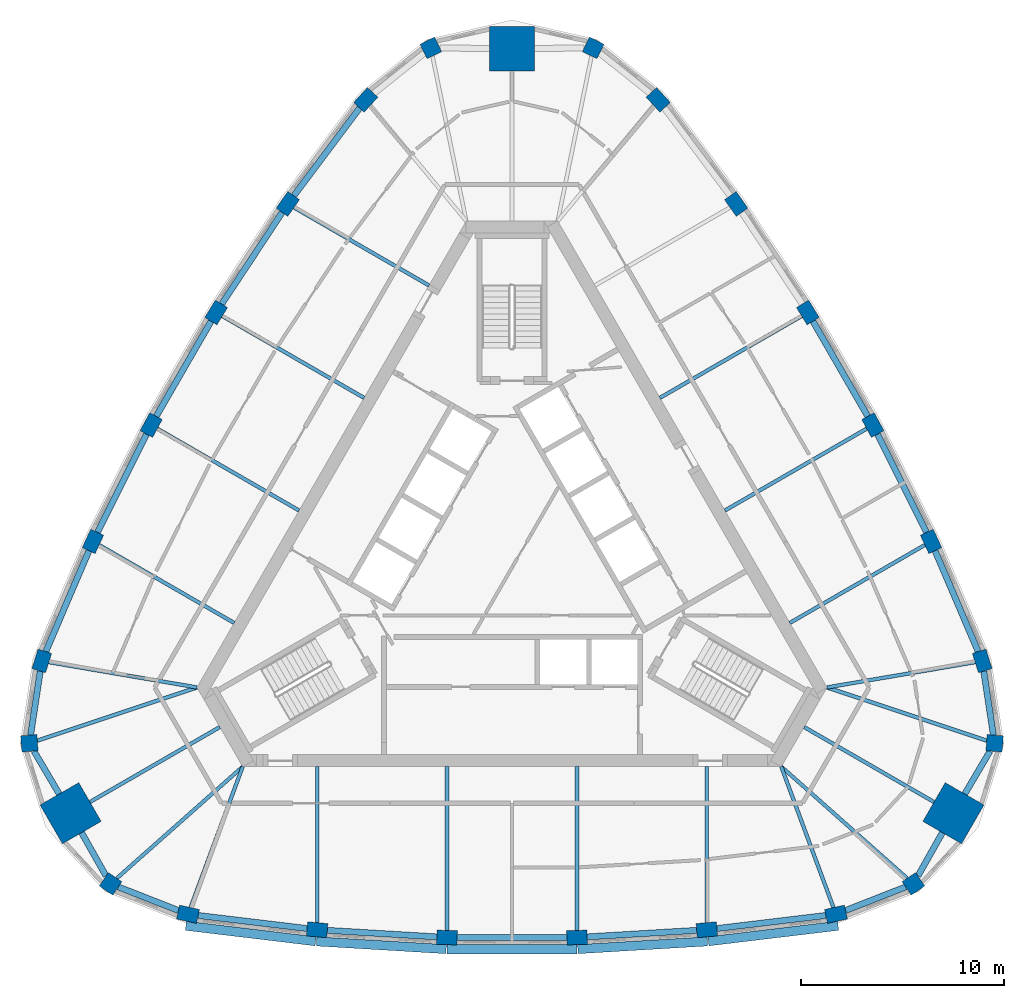
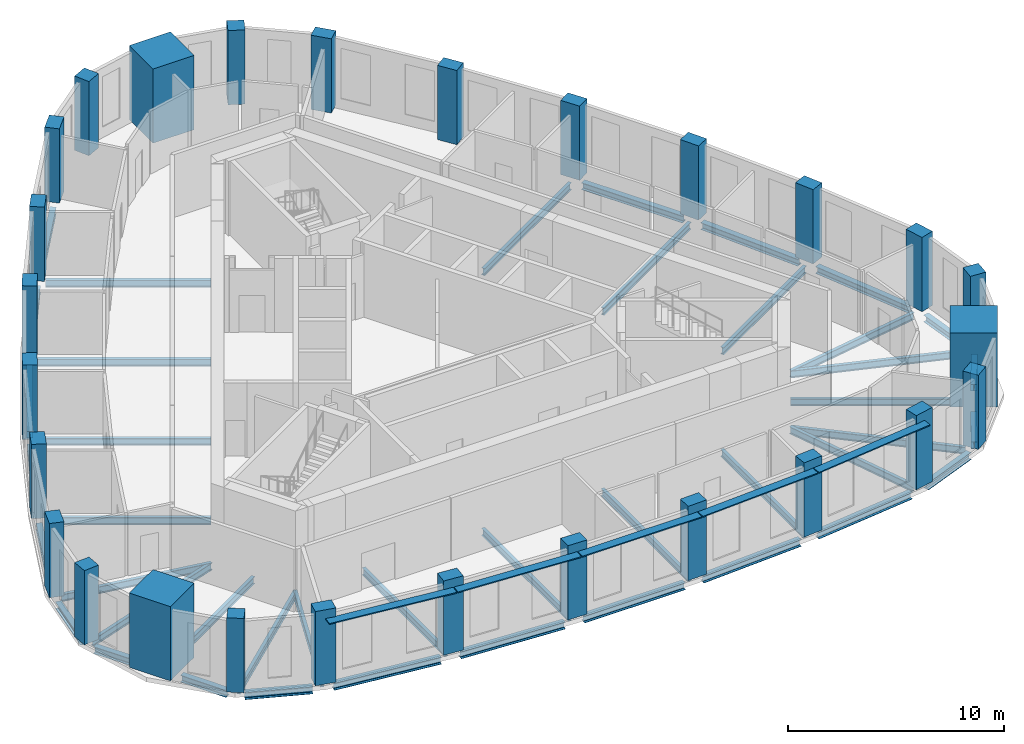
# One storey, part 1 of 10: 42 beams, 27 columns, 5 members.
"""IFC4 building model written with IfcOpenShell, lengths in metres."""

import ifcopenshell
import ifcopenshell.guid

model = None  # the IFC model being written
_history = None  # IfcOwnerHistory: only IFC2X3 demands one
_inside = {}  # id of a spatial element -> (the spatial element, [elements in it])
_under = {}  # id of a project, library or spatial element -> (it, [spatial elements below it])
_declared = {}  # id of a project -> (the project, [libraries it declares])
_typed = {}  # id of a type object -> (the type object, [elements of that type])
_made_of = {}  # id of a material, layer set ... -> (it, [elements and type objects made of it])


def new_model(schema):
    """Start an empty IFC model of exactly this schema.

    Asked for "IFC4X3", IfcOpenShell would pick the latest addendum, in which some entities
    have other attributes; the version numbers below select the first issue.
    IFC2X3 requires an IfcOwnerHistory on every rooted entity: one is made here for all.
    """
    global model, _history
    if schema == "IFC4X3":
        model = ifcopenshell.file(schema_version=(4, 3, 0, 0))
    else:
        model = ifcopenshell.file(schema=schema)
    _inside.clear()
    _under.clear()
    _declared.clear()
    _typed.clear()
    _made_of.clear()
    _history = None
    if model.schema == "IFC2X3":
        org = make("IfcOrganization", Name="unknown")
        user = make(
            "IfcPersonAndOrganization",
            ThePerson=make("IfcPerson", FamilyName="unknown"),
            TheOrganization=org,
        )
        app = make(
            "IfcApplication",
            ApplicationDeveloper=org,
            Version="unknown",
            ApplicationFullName="unknown",
            ApplicationIdentifier="unknown",
        )
        _history = make(
            "IfcOwnerHistory",
            OwningUser=user,
            OwningApplication=app,
            ChangeAction="ADDED",
            CreationDate=0,
        )
    return model


def make(cls, **values):
    """One entity of the class cls with the attributes given. An attribute that is None is left unset."""
    return model.create_entity(
        cls, **{name: value for name, value in values.items() if value is not None}
    )


def rooted(cls, **values):
    """An entity with a GlobalId (a new one), such as an element, a storey or a relation."""
    return make(cls, GlobalId=ifcopenshell.guid.new(), OwnerHistory=_history, **values)


def si_unit(unit_type, name, prefix=None):
    """IfcSIUnit, for example si_unit("LENGTHUNIT", "METRE", prefix="MILLI")."""
    return make("IfcSIUnit", UnitType=unit_type, Prefix=prefix, Name=name)


def assignment(units):
    """IfcUnitAssignment: the units of a project."""
    return None if units is None else make("IfcUnitAssignment", Units=units)


def point(xyz):
    """IfcCartesianPoint."""
    return None if xyz is None else make("IfcCartesianPoint", Coordinates=xyz)


def direction(xyz):
    """IfcDirection."""
    return None if xyz is None else make("IfcDirection", DirectionRatios=xyz)


def frame(location, z_axis=None, x_axis=None):
    """IfcAxis2Placement3D, a coordinate frame: its origin and axes. An axis left out is left unset."""
    return make(
        "IfcAxis2Placement3D",
        Location=point(location),
        Axis=direction(z_axis),
        RefDirection=direction(x_axis),
    )


def frame_2d(location, x_axis=None):
    """IfcAxis2Placement2D, a coordinate frame in the plane: its origin and x axis."""
    return make(
        "IfcAxis2Placement2D", Location=point(location), RefDirection=direction(x_axis)
    )


def origin():
    """The frame at (0, 0, 0) with its axes left unset."""
    return frame((0.0, 0.0, 0.0))


def origin_2d():
    """The frame at (0, 0) in the plane with its x axis left unset."""
    return frame_2d((0.0, 0.0))


def place(relative_to, where):
    """IfcLocalPlacement: puts the frame where relative to a parent placement (None: the world)."""
    return make(
        "IfcLocalPlacement", PlacementRelTo=relative_to, RelativePlacement=where
    )


def context(
    kind, dimensions, precision=None, world=None, true_north=None, identifier=None
):
    """IfcGeometricRepresentationContext, for example the 3D "Model" context."""
    return make(
        "IfcGeometricRepresentationContext",
        ContextIdentifier=identifier,
        ContextType=kind,
        CoordinateSpaceDimension=dimensions,
        Precision=precision,
        WorldCoordinateSystem=world,
        TrueNorth=true_north,
    )


def subcontext(parent, identifier, kind, view, scale=None):
    """IfcGeometricRepresentationSubContext, for example "Body" below "Model"."""
    return make(
        "IfcGeometricRepresentationSubContext",
        ContextIdentifier=identifier,
        ContextType=kind,
        ParentContext=parent,
        TargetScale=scale,
        TargetView=view,
    )


def project(units=None, contexts=None):
    """IfcProject with its units and contexts."""
    return rooted(
        "IfcProject",
        Name="project",
        RepresentationContexts=contexts,
        UnitsInContext=assignment(units),
    )


def spatial(cls, under=None, at=None, **own):
    """A site, building, storey or space (cls), placed at a placement, below another one or the project."""
    s = rooted(cls, ObjectPlacement=at, **own)
    if under is not None:
        _under.setdefault(under.id(), (under, []))[1].append(s)
    return s


def profile(cls, at=None, kind="AREA", **sizes):
    """A parametric profile (cls). Its sizes go by their IFC names, for example OverallWidth=200.0."""
    return make(cls, ProfileType=kind, Position=at, **sizes)


def rectangle(**sizes):
    """IfcRectangleProfileDef."""
    return profile("IfcRectangleProfileDef", **sizes)


def i_section(**sizes):
    """IfcIShapeProfileDef."""
    return profile("IfcIShapeProfileDef", **sizes)


def extrude(swept, where, along, depth):
    """IfcExtrudedAreaSolid: the profile swept, set in the frame where, extruded along a direction by depth."""
    return make(
        "IfcExtrudedAreaSolid",
        SweptArea=swept,
        Position=where,
        ExtrudedDirection=direction(along),
        Depth=depth,
    )


def shape(context_of_items, identifier, shape_type, items):
    """IfcShapeRepresentation: the items that make up one representation, for example the "Body"."""
    return make(
        "IfcShapeRepresentation",
        ContextOfItems=context_of_items,
        RepresentationIdentifier=identifier,
        RepresentationType=shape_type,
        Items=items,
    )


def material(Name=None, Category=None):
    """IfcMaterial."""
    return make("IfcMaterial", Name=Name, Category=Category)


def material_profile(
    of_material, cross_section, Name=None, Category=None, Priority=None
):
    """IfcMaterialProfile: a cross section and its material."""
    return make(
        "IfcMaterialProfile",
        Name=Name,
        Material=of_material,
        Profile=cross_section,
        Priority=Priority,
        Category=Category,
    )


def profile_set(profiles, Name=None, composite=None):
    """IfcMaterialProfileSet."""
    return make(
        "IfcMaterialProfileSet",
        Name=Name,
        MaterialProfiles=profiles,
        CompositeProfile=composite,
    )


def made_of(thing, what):
    """Note that an element or type object is made of a material, layer set ...; save() writes the relation."""
    if what is not None:
        _made_of.setdefault(what.id(), (what, []))[1].append(thing)
    return thing


def type_object(cls, material=None, **own):
    """A type object (cls), such as IfcWallType, which elements share."""
    return made_of(rooted(cls, **own), material)


def element(
    cls,
    number,
    at=None,
    inside=None,
    cuts=None,
    type_object=None,
    material=None,
    context=None,
    identifier="Body",
    shape_type=None,
    held_by="IfcProductDefinitionShape",
    body=None,
    shapes=None,
    **own,
):
    """One element of the class cls, such as IfcWall. Its Tag is "e" and its number.

    at: its placement. inside: the storey or other place that contains it. cuts: it is an
    opening in that element (IfcRelVoidsElement). A single representation is given by context,
    identifier, shape_type and body (its items); several are given by shapes. held_by: the class
    of the entity that holds the representations. save() writes the other relations.
    """
    e = rooted(cls, Tag="e%d" % number, ObjectPlacement=at, **own)
    if body is not None:
        shapes = [shape(context, identifier, shape_type, body)]
    if shapes is not None:
        e.Representation = make(held_by, Representations=shapes)
    if inside is not None:
        _inside.setdefault(inside.id(), (inside, []))[1].append(e)
    if cuts is not None:
        rooted(
            "IfcRelVoidsElement", RelatingBuildingElement=cuts, RelatedOpeningElement=e
        )
    if type_object is not None:
        _typed.setdefault(type_object.id(), (type_object, []))[1].append(e)
    return made_of(e, material)


def aggregate(whole, parts):
    """IfcRelAggregates: a whole, such as a stair, and the parts it consists of."""
    return rooted("IfcRelAggregates", RelatingObject=whole, RelatedObjects=parts)


def save(model, path):
    """Write the relations noted so far, then the file.

    IfcRelAggregates (storeys below a building ...), IfcRelContainedInSpatialStructure (elements
    in a storey), IfcRelDefinesByType, IfcRelAssociatesMaterial and IfcRelDeclares: one each for
    every whole, place, type object, material and project.
    """
    for whole, parts in _under.values():
        aggregate(whole, parts)
    for where, things in _inside.values():
        rooted(
            "IfcRelContainedInSpatialStructure",
            RelatedElements=things,
            RelatingStructure=where,
        )
    for kind, things in _typed.values():
        rooted("IfcRelDefinesByType", RelatedObjects=things, RelatingType=kind)
    for what, things in _made_of.values():
        rooted("IfcRelAssociatesMaterial", RelatedObjects=things, RelatingMaterial=what)
    for by, libraries in _declared.values():
        rooted("IfcRelDeclares", RelatingContext=by, RelatedDefinitions=libraries)
    model.write(path)


model = new_model("IFC4")

# Units and contexts
model_context = context("Model", 3, precision=1e-05, world=origin(), true_north=direction((0.0, 1.0)))
body_context = subcontext(model_context, "Body", "Model", "MODEL_VIEW")
ifc_project = project(units=[si_unit("LENGTHUNIT", "METRE"), si_unit("AREAUNIT", "SQUARE_METRE"), si_unit("VOLUMEUNIT", "CUBIC_METRE"), si_unit("PLANEANGLEUNIT", "RADIAN"), si_unit("MASSUNIT", "GRAM", prefix="KILO")], contexts=[model_context])

# Site, building, storey
site_placement = place(None, origin())
site = spatial("IfcSite", under=ifc_project, at=site_placement, CompositionType="ELEMENT")
building_placement = place(site_placement, origin())
building = spatial("IfcBuilding", under=site, at=building_placement, Name="Mestral Congress Tower", CompositionType="ELEMENT")
storey_placement = place(building_placement, frame((0.0, 0.0, 292.199951171875)))
storey = spatial("IfcBuildingStorey", under=building, at=storey_placement, Name="L68", CompositionType="ELEMENT", Elevation=292.199951171875)

# Columns
ifc_material_1 = material(Name="Concrete C60/75", Category="concrete")
ifc_material_profile_1 = material_profile(ifc_material_1, rectangle(XDim=1.0, YDim=0.699951171875, at=origin_2d()), Name="RC 1000x700")
ifc_profile_set_1 = profile_set([ifc_material_profile_1], Name="Concrete C60/75")
column_type_1 = type_object("IfcColumnType", Name="Column RC 1000x700 C60/75", PredefinedType="COLUMN", material=ifc_profile_set_1)
for number, where, z_axis, x_axis, name in (
    (1, (-15.940673828125, -17.511962890625, 0.0), (0.0, 0.0, 1.0), (0.976233636503, -0.216720758026, 0.0), "COL-L68-C5-S00"),
    (2, (-9.587158203125, -18.273681640625, 0.0), (0.0, 0.0, 1.0), (0.995997816519, -0.089377567035, 0.0), "COL-L68-C5-S01"),
    (3, (-3.199462890625, -18.6552734375, 0.0), (0.0, 0.0, 1.0), (0.999555031657, -0.029828487872, 0.0), "COL-L68-C5-S02"),
    (4, (3.199462890625, -18.6552734375, 0.0), (0.0, 0.0, 1.0), (0.999555031657, 0.029828487872, 0.0), "COL-L68-C5-S03"),
    (5, (9.587158203125, -18.273681640625, 0.0), (0.0, 0.0, 1.0), (0.995997816519, 0.089377567035, 0.0), "COL-L68-C5-S04"),
    (6, (15.940673828125, -17.511962890625, 0.0), (0.0, 0.0, 1.0), (0.976233636503, 0.216720758026, 0.0), "COL-L68-C5-S05"),
    (7, (23.135986328125, -5.049072265625, 0.0), (0.0, 0.0, 1.0), (-0.300431136274, 0.953803508254, 0.0), "COL-L68-C5-E00"),
    (8, (20.618896484375, 0.833984375, 0.0), (0.0, 0.0, 1.0), (-0.420595664679, 0.907248194737, 0.0), "COL-L68-C5-E01"),
    (9, (17.755615234375, 6.556640625, 0.0), (0.0, 0.0, 1.0), (-0.473945287575, 0.880554293832, 0.0), "COL-L68-C5-E02"),
    (10, (14.55615234375, 12.098388671875, 0.0), (0.0, 0.0, 1.0), (-0.525609744083, 0.850725805959, 0.0), "COL-L68-C5-E03"),
    (11, (11.031982421875, 17.439697265625, 0.0), (0.0, 0.0, 1.0), (-0.57540215184, 0.817870627702, 0.0), "COL-L68-C5-E04"),
    (12, (7.1953125, 22.56103515625, 0.0), (0.0, 0.0, 1.0), (-0.67580250023, 0.737082750228, 0.0), "COL-L68-C5-E05"),
    (13, (-7.1953125, 22.56103515625, 0.0), (0.0, 0.0, 1.0), (-0.67580250023, -0.737082750228, 0.0), "COL-L68-C5-W00"),
    (14, (-11.031982421875, 17.439697265625, 0.0), (0.0, 0.0, 1.0), (-0.57540215184, -0.817870627702, 0.0), "COL-L68-C5-W01"),
    (15, (-14.55615234375, 12.098388671875, 0.0), (0.0, 0.0, 1.0), (-0.525609744083, -0.850725805959, 0.0), "COL-L68-C5-W02"),
    (16, (-17.755615234375, 6.556640625, 0.0), (0.0, 0.0, 1.0), (-0.473945287575, -0.880554293832, 0.0), "COL-L68-C5-W03"),
    (17, (-20.618896484375, 0.833984375, 0.0), (0.0, 0.0, 1.0), (-0.420595664679, -0.907248194737, 0.0), "COL-L68-C5-W04"),
    (18, (-23.135986328125, -5.049072265625, 0.0), (0.0, 0.0, 1.0), (-0.300431136274, -0.953803508254, 0.0), "COL-L68-C5-W05"),
):
    element("IfcColumn", number, at=place(storey_placement, frame(where, z_axis=z_axis, x_axis=x_axis)), inside=storey, type_object=column_type_1, Name=name, PredefinedType="COLUMN", context=body_context, shape_type="SweptSolid", body=[
        extrude(rectangle(XDim=1.0, YDim=0.699951171875, at=origin_2d()), origin(), (0.0, 0.0, 1.0), 4.199951171875),
    ])
ifc_material_profile_2 = material_profile(ifc_material_1, rectangle(XDim=0.800048828125, YDim=0.800048828125, at=origin_2d()), Name="RC 800x800")
ifc_profile_set_2 = profile_set([ifc_material_profile_2], Name="Concrete C60/75")
column_type_2 = type_object("IfcColumnType", Name="Column RC 800x800 C60/75", PredefinedType="COLUMN", material=ifc_profile_set_2)
for number, where, z_axis, x_axis, name in (
    (19, (19.75439453125, -16.0166015625, 0.0), (0.0, 0.0, 1.0), (0.826362775296, 0.563138139008, 0.0), "COL-L68-C5-SE1"),
    (20, (23.748046875, -9.099609375, 0.0), (0.0, 0.0, 1.0), (0.074510546573, 0.997220225652, 0.0), "COL-L68-C5-SE3"),
    (21, (3.993408203125, 25.1162109375, 0.0), (0.0, 0.0, 1.0), (-0.900873321869, 0.434082086644, 0.0), "COL-L68-C5-N1"),
    (22, (-3.993408203125, 25.1162109375, 0.0), (0.0, 0.0, 1.0), (-0.900873321869, -0.434082086644, 0.0), "COL-L68-C5-N3"),
    (23, (-23.748046875, -9.099609375, 0.0), (0.0, 0.0, 1.0), (0.074510546573, -0.997220225652, 0.0), "COL-L68-C5-SW1"),
    (24, (-19.75439453125, -16.0166015625, 0.0), (0.0, 0.0, 1.0), (0.826362775296, -0.563138139008, 0.0), "COL-L68-C5-SW3"),
):
    element("IfcColumn", number, at=place(storey_placement, frame(where, z_axis=z_axis, x_axis=x_axis)), inside=storey, type_object=column_type_2, Name=name, PredefinedType="COLUMN", context=body_context, shape_type="SweptSolid", body=[
        extrude(rectangle(XDim=0.800048828125, YDim=0.800048828125, at=origin_2d()), origin(), (0.0, 0.0, 1.0), 4.199951171875),
    ])
ifc_material_profile_3 = material_profile(ifc_material_1, rectangle(XDim=2.199951171875, YDim=2.199951171875, at=origin_2d()), Name="RC 2200x2200")
ifc_profile_set_3 = profile_set([ifc_material_profile_3], Name="Concrete C60/75")
column_type_3 = type_object("IfcColumnType", Name="Mega column RC 2200x2200 C60/75", PredefinedType="COLUMN", material=ifc_profile_set_3)
for number, where, z_axis, x_axis, name in (
    (25, (21.71826171875, -12.5390625, 0.0), (0.0, 0.0, 1.0), (0.866025403784, -0.5, 0.0), "COL-L68-PY5-SE"),
    (26, (0.0, 25.078125, 0.0), (0.0, 0.0, 1.0), (0.0, 1.0, 0.0), "COL-L68-PY5-N"),
    (27, (-21.71826171875, -12.5390625, 0.0), (0.0, 0.0, 1.0), (-0.866025403784, -0.5, 0.0), "COL-L68-PY5-SW"),
):
    element("IfcColumn", number, at=place(storey_placement, frame(where, z_axis=z_axis, x_axis=x_axis)), inside=storey, type_object=column_type_3, Name=name, PredefinedType="COLUMN", context=body_context, shape_type="SweptSolid", body=[
        extrude(rectangle(XDim=2.199951171875, YDim=2.199951171875, at=origin_2d()), origin(), (0.0, 0.0, 1.0), 4.199951171875),
    ])

# Members
ifc_material_2 = material(Name="Glazed ceramic", Category="masonry")
ifc_material_profile_4 = material_profile(ifc_material_2, rectangle(XDim=0.449951171875, YDim=0.06005859375, at=origin_2d()), Name="Ceramic blade 450 x 60")
ifc_profile_set_4 = profile_set([ifc_material_profile_4], Name="Glazed ceramic")
member_type = type_object("IfcMemberType", Name="Facade sunshade blade 450 x 60", PredefinedType="USERDEFINED", material=ifc_profile_set_4)
member_1_placement = place(storey_placement, frame((-16.04638671875, -18.078369140625, 3.679931640625), z_axis=(0.992890306953, -0.119032929725, 0.0), x_axis=(0.119032929725, 0.992890306953, 0.0)))
element("IfcMember", 28, at=member_1_placement, inside=storey, type_object=member_type, Name="Sunshade F0-00", ObjectType="SUNSHADE", PredefinedType="USERDEFINED", context=body_context, shape_type="SweptSolid", body=[
    extrude(rectangle(XDim=0.449951171875, YDim=0.06005859375, at=origin_2d()), origin(), (0.0, 0.0, 1.0), 6.429931640625),
])
member_2_placement = place(storey_placement, frame((-9.614990234375, -18.84814453125, 3.679931640625), z_axis=(0.998222174469, -0.059602771735, 0.0), x_axis=(0.059602771735, 0.998222174469, 0.0)))
element("IfcMember", 29, at=member_2_placement, inside=storey, type_object=member_type, Name="Sunshade F0-01", ObjectType="SUNSHADE", PredefinedType="USERDEFINED", context=body_context, shape_type="SweptSolid", body=[
    extrude(rectangle(XDim=0.449951171875, YDim=0.06005859375, at=origin_2d()), origin(), (0.0, 0.0, 1.0), 6.385986328125),
])
member_3_placement = place(storey_placement, frame((-3.193115234375, -19.230224609375, 3.679931640625), z_axis=(1.0, 0.0, 0.0), x_axis=(0.0, 1.0, 0.0)))
element("IfcMember", 30, at=member_3_placement, inside=storey, type_object=member_type, Name="Sunshade F0-02", ObjectType="SUNSHADE", PredefinedType="USERDEFINED", context=body_context, shape_type="SweptSolid", body=[
    extrude(rectangle(XDim=0.449951171875, YDim=0.06005859375, at=origin_2d()), origin(), (0.0, 0.0, 1.0), 6.38623046875),
])
member_4_placement = place(storey_placement, frame((3.240478515625, -19.228759765625, 3.679931640625), z_axis=(0.998222174469, 0.059602771735, 0.0), x_axis=(-0.059602771735, 0.998222174469, 0.0)))
element("IfcMember", 31, at=member_4_placement, inside=storey, type_object=member_type, Name="Sunshade F0-03", ObjectType="SUNSHADE", PredefinedType="USERDEFINED", context=body_context, shape_type="SweptSolid", body=[
    extrude(rectangle(XDim=0.449951171875, YDim=0.06005859375, at=origin_2d()), origin(), (0.0, 0.0, 1.0), 6.385986328125),
])
member_5_placement = place(storey_placement, frame((9.662109375, -18.84375, 3.679931640625), z_axis=(0.992890306953, 0.119032929725, 0.0), x_axis=(-0.119032929725, 0.992890306953, 0.0)))
element("IfcMember", 32, at=member_5_placement, inside=storey, type_object=member_type, Name="Sunshade F0-04", ObjectType="SUNSHADE", PredefinedType="USERDEFINED", context=body_context, shape_type="SweptSolid", body=[
    extrude(rectangle(XDim=0.449951171875, YDim=0.06005859375, at=origin_2d()), origin(), (0.0, 0.0, 1.0), 6.429931640625),
])

# Beams
ifc_material_3 = material(Name="Steel S355", Category="steel")
ifc_material_profile_5 = material_profile(ifc_material_3, i_section(OverallWidth=0.179931640625, OverallDepth=0.39990234375, WebThickness=0.008544921875, FlangeThickness=0.013427734375, FilletRadius=0.02099609375, at=origin_2d()), Name="IPE 400")
ifc_profile_set_5 = profile_set([ifc_material_profile_5], Name="Steel S355")
beam_type_1 = type_object("IfcBeamType", Name="Floor beam IPE 400 S355", PredefinedType="BEAM", material=ifc_profile_set_5)
beam_1_placement = place(storey_placement, frame((-15.81787109375, -17.1806640625, -0.449951171875), z_axis=(0.347399345496, 0.937717278687, 0.0), x_axis=(-0.937717278687, 0.347399345496, 0.0)))
element("IfcBeam", 33, at=beam_1_placement, inside=storey, type_object=beam_type_1, Name="BM-L68-RB5-S00", PredefinedType="BEAM", context=body_context, shape_type="SweptSolid", body=[
    extrude(i_section(OverallWidth=0.179931640625, OverallDepth=0.39990234375, WebThickness=0.008544921875, FlangeThickness=0.013427734375, FilletRadius=0.02099609375, at=origin_2d()), origin(), (0.0, 0.0, 1.0), 7.39111328125),
])
beam_2_placement = place(storey_placement, frame((-9.587158203125, -17.92236328125, -0.449951171875), z_axis=(0.0, 1.0, 0.0), x_axis=(-1.0, 0.0, 0.0)))
element("IfcBeam", 34, at=beam_2_placement, inside=storey, type_object=beam_type_1, Name="BM-L68-RB5-S01", PredefinedType="BEAM", context=body_context, shape_type="SweptSolid", body=[
    extrude(i_section(OverallWidth=0.179931640625, OverallDepth=0.39990234375, WebThickness=0.008544921875, FlangeThickness=0.013427734375, FilletRadius=0.02099609375, at=origin_2d()), origin(), (0.0, 0.0, 1.0), 7.67236328125),
])
for number, where, z_axis, x_axis, name in (
    (35, (-3.199462890625, -18.304931640625, -0.449951171875), (0.0, 1.0, 0.0), (-1.0, 0.0, 0.0), "BM-L68-RB5-S02"),
    (36, (3.199462890625, -18.304931640625, -0.449951171875), (0.0, 1.0, 0.0), (-1.0, 0.0, 0.0), "BM-L68-RB5-S03"),
):
    element("IfcBeam", number, at=place(storey_placement, frame(where, z_axis=z_axis, x_axis=x_axis)), inside=storey, type_object=beam_type_1, Name=name, PredefinedType="BEAM", context=body_context, shape_type="SweptSolid", body=[
        extrude(i_section(OverallWidth=0.179931640625, OverallDepth=0.39990234375, WebThickness=0.008544921875, FlangeThickness=0.013427734375, FilletRadius=0.02099609375, at=origin_2d()), origin(), (0.0, 0.0, 1.0), 8.054931640625),
    ])
beam_3_placement = place(storey_placement, frame((9.587158203125, -17.92236328125, -0.449951171875), z_axis=(0.0, 1.0, 0.0), x_axis=(-1.0, 0.0, 0.0)))
element("IfcBeam", 37, at=beam_3_placement, inside=storey, type_object=beam_type_1, Name="BM-L68-RB5-S04", PredefinedType="BEAM", context=body_context, shape_type="SweptSolid", body=[
    extrude(i_section(OverallWidth=0.179931640625, OverallDepth=0.39990234375, WebThickness=0.008544921875, FlangeThickness=0.013427734375, FilletRadius=0.02099609375, at=origin_2d()), origin(), (0.0, 0.0, 1.0), 7.67236328125),
])
beam_4_placement = place(storey_placement, frame((15.81787109375, -17.1806640625, -0.449951171875), z_axis=(-0.347399345496, 0.937717278687, 0.0), x_axis=(-0.937717278687, -0.347399345496, 0.0)))
element("IfcBeam", 38, at=beam_4_placement, inside=storey, type_object=beam_type_1, Name="BM-L68-RB5-S05", PredefinedType="BEAM", context=body_context, shape_type="SweptSolid", body=[
    extrude(i_section(OverallWidth=0.179931640625, OverallDepth=0.39990234375, WebThickness=0.008544921875, FlangeThickness=0.013427734375, FilletRadius=0.02099609375, at=origin_2d()), origin(), (0.0, 0.0, 1.0), 7.39111328125),
])
beam_5_placement = place(storey_placement, frame((19.44580078125, -15.742919921875, -0.449951171875), z_axis=(-0.74826277439, 0.663402457383, 0.0), x_axis=(-0.663402457383, -0.74826277439, 0.0)))
element("IfcBeam", 39, at=beam_5_placement, inside=storey, type_object=beam_type_1, Name="BM-L68-RB5-SE1", PredefinedType="BEAM", context=body_context, shape_type="SweptSolid", body=[
    extrude(i_section(OverallWidth=0.179931640625, OverallDepth=0.39990234375, WebThickness=0.008544921875, FlangeThickness=0.013427734375, FilletRadius=0.02099609375, at=origin_2d()), origin(), (0.0, 0.0, 1.0), 8.280029296875),
])
beam_6_placement = place(storey_placement, frame((20.765625, -11.989013671875, -0.449951171875), z_axis=(-0.866031296205, 0.499989793889, 0.0), x_axis=(-0.499989793889, -0.866031296205, 0.0)))
element("IfcBeam", 40, at=beam_6_placement, inside=storey, type_object=beam_type_1, Name="BM-L68-RB5-SE", PredefinedType="BEAM", context=body_context, shape_type="SweptSolid", body=[
    extrude(i_section(OverallWidth=0.179931640625, OverallDepth=0.39990234375, WebThickness=0.008544921875, FlangeThickness=0.013427734375, FilletRadius=0.02099609375, at=origin_2d()), origin(), (0.0, 0.0, 1.0), 7.378173828125),
])
beam_7_placement = place(storey_placement, frame((23.356689453125, -8.968994140625, -0.449951171875), z_axis=(-0.948659706446, 0.316298532031, 0.0), x_axis=(-0.316298532031, -0.948659706446, 0.0)))
element("IfcBeam", 41, at=beam_7_placement, inside=storey, type_object=beam_type_1, Name="BM-L68-RB5-SE3", PredefinedType="BEAM", context=body_context, shape_type="SweptSolid", body=[
    extrude(i_section(OverallWidth=0.179931640625, OverallDepth=0.39990234375, WebThickness=0.008544921875, FlangeThickness=0.013427734375, FilletRadius=0.02099609375, at=origin_2d()), origin(), (0.0, 0.0, 1.0), 8.27978515625),
])
beam_8_placement = place(storey_placement, frame((22.787841796875, -5.1083984375, -0.449951171875), z_axis=(-0.985786503242, -0.168002886958, 0.0), x_axis=(0.168002886958, -0.985786503242, 0.0)))
element("IfcBeam", 42, at=beam_8_placement, inside=storey, type_object=beam_type_1, Name="BM-L68-RB5-E00", PredefinedType="BEAM", context=body_context, shape_type="SweptSolid", body=[
    extrude(i_section(OverallWidth=0.179931640625, OverallDepth=0.39990234375, WebThickness=0.008544921875, FlangeThickness=0.013427734375, FilletRadius=0.02099609375, at=origin_2d()), origin(), (0.0, 0.0, 1.0), 7.390869140625),
])
beam_9_placement = place(storey_placement, frame((20.314697265625, 0.658447265625, -0.449951171875), z_axis=(-0.866019720907, -0.500009842903, 0.0), x_axis=(0.500009842903, -0.866019720907, 0.0)))
element("IfcBeam", 43, at=beam_9_placement, inside=storey, type_object=beam_type_1, Name="BM-L68-RB5-E01", PredefinedType="BEAM", context=body_context, shape_type="SweptSolid", body=[
    extrude(i_section(OverallWidth=0.179931640625, OverallDepth=0.39990234375, WebThickness=0.008544921875, FlangeThickness=0.013427734375, FilletRadius=0.02099609375, at=origin_2d()), origin(), (0.0, 0.0, 1.0), 7.672119140625),
])
for number, where, z_axis, x_axis, name in (
    (44, (17.452392578125, 6.381591796875, -0.449951171875), (-0.866020537834, -0.500008427979, 0.0), (0.500008427979, -0.866020537834, 0.0), "BM-L68-RB5-E02"),
    (45, (14.2529296875, 11.92333984375, -0.449951171875), (-0.866033662086, -0.499985695929, 0.0), (0.499985695929, -0.866033662086, 0.0), "BM-L68-RB5-E03"),
):
    element("IfcBeam", number, at=place(storey_placement, frame(where, z_axis=z_axis, x_axis=x_axis)), inside=storey, type_object=beam_type_1, Name=name, PredefinedType="BEAM", context=body_context, shape_type="SweptSolid", body=[
        extrude(i_section(OverallWidth=0.179931640625, OverallDepth=0.39990234375, WebThickness=0.008544921875, FlangeThickness=0.013427734375, FilletRadius=0.02099609375, at=origin_2d()), origin(), (0.0, 0.0, 1.0), 8.054931640625),
    ])
beam_10_placement = place(storey_placement, frame((-10.7275390625, 17.263916015625, -0.449951171875), z_axis=(0.866019720907, -0.500009842903, 0.0), x_axis=(0.500009842903, 0.866019720907, 0.0)))
element("IfcBeam", 46, at=beam_10_placement, inside=storey, type_object=beam_type_1, Name="BM-L68-RB5-W01", PredefinedType="BEAM", context=body_context, shape_type="SweptSolid", body=[
    extrude(i_section(OverallWidth=0.179931640625, OverallDepth=0.39990234375, WebThickness=0.008544921875, FlangeThickness=0.013427734375, FilletRadius=0.02099609375, at=origin_2d()), origin(), (0.0, 0.0, 1.0), 7.672119140625),
])
for number, where, z_axis, x_axis, name in (
    (47, (-14.2529296875, 11.92333984375, -0.449951171875), (0.866033662086, -0.499985695929, 0.0), (0.499985695929, 0.866033662086, 0.0), "BM-L68-RB5-W02"),
    (48, (-17.452392578125, 6.381591796875, -0.449951171875), (0.866020537834, -0.500008427979, 0.0), (0.500008427979, 0.866020537834, 0.0), "BM-L68-RB5-W03"),
):
    element("IfcBeam", number, at=place(storey_placement, frame(where, z_axis=z_axis, x_axis=x_axis)), inside=storey, type_object=beam_type_1, Name=name, PredefinedType="BEAM", context=body_context, shape_type="SweptSolid", body=[
        extrude(i_section(OverallWidth=0.179931640625, OverallDepth=0.39990234375, WebThickness=0.008544921875, FlangeThickness=0.013427734375, FilletRadius=0.02099609375, at=origin_2d()), origin(), (0.0, 0.0, 1.0), 8.054931640625),
    ])
beam_11_placement = place(storey_placement, frame((-20.314697265625, 0.658447265625, -0.449951171875), z_axis=(0.866019720907, -0.500009842903, 0.0), x_axis=(0.500009842903, 0.866019720907, 0.0)))
element("IfcBeam", 49, at=beam_11_placement, inside=storey, type_object=beam_type_1, Name="BM-L68-RB5-W04", PredefinedType="BEAM", context=body_context, shape_type="SweptSolid", body=[
    extrude(i_section(OverallWidth=0.179931640625, OverallDepth=0.39990234375, WebThickness=0.008544921875, FlangeThickness=0.013427734375, FilletRadius=0.02099609375, at=origin_2d()), origin(), (0.0, 0.0, 1.0), 7.672119140625),
])
beam_12_placement = place(storey_placement, frame((-22.787841796875, -5.1083984375, -0.449951171875), z_axis=(0.985786503242, -0.168002886958, 0.0), x_axis=(0.168002886958, 0.985786503242, 0.0)))
element("IfcBeam", 50, at=beam_12_placement, inside=storey, type_object=beam_type_1, Name="BM-L68-RB5-W05", PredefinedType="BEAM", context=body_context, shape_type="SweptSolid", body=[
    extrude(i_section(OverallWidth=0.179931640625, OverallDepth=0.39990234375, WebThickness=0.008544921875, FlangeThickness=0.013427734375, FilletRadius=0.02099609375, at=origin_2d()), origin(), (0.0, 0.0, 1.0), 7.390869140625),
])
beam_13_placement = place(storey_placement, frame((-23.356689453125, -8.968994140625, -0.449951171875), z_axis=(0.948659706446, 0.316298532031, 0.0), x_axis=(-0.316298532031, 0.948659706446, 0.0)))
element("IfcBeam", 51, at=beam_13_placement, inside=storey, type_object=beam_type_1, Name="BM-L68-RB5-SW1", PredefinedType="BEAM", context=body_context, shape_type="SweptSolid", body=[
    extrude(i_section(OverallWidth=0.179931640625, OverallDepth=0.39990234375, WebThickness=0.008544921875, FlangeThickness=0.013427734375, FilletRadius=0.02099609375, at=origin_2d()), origin(), (0.0, 0.0, 1.0), 8.27978515625),
])
beam_14_placement = place(storey_placement, frame((-20.765625, -11.989013671875, -0.449951171875), z_axis=(0.866031296205, 0.499989793889, 0.0), x_axis=(-0.499989793889, 0.866031296205, 0.0)))
element("IfcBeam", 52, at=beam_14_placement, inside=storey, type_object=beam_type_1, Name="BM-L68-RB5-SW", PredefinedType="BEAM", context=body_context, shape_type="SweptSolid", body=[
    extrude(i_section(OverallWidth=0.179931640625, OverallDepth=0.39990234375, WebThickness=0.008544921875, FlangeThickness=0.013427734375, FilletRadius=0.02099609375, at=origin_2d()), origin(), (0.0, 0.0, 1.0), 7.378173828125),
])
beam_15_placement = place(storey_placement, frame((-19.44580078125, -15.742919921875, -0.449951171875), z_axis=(0.74826277439, 0.663402457383, 0.0), x_axis=(-0.663402457383, 0.74826277439, 0.0)))
element("IfcBeam", 53, at=beam_15_placement, inside=storey, type_object=beam_type_1, Name="BM-L68-RB5-SW3", PredefinedType="BEAM", context=body_context, shape_type="SweptSolid", body=[
    extrude(i_section(OverallWidth=0.179931640625, OverallDepth=0.39990234375, WebThickness=0.008544921875, FlangeThickness=0.013427734375, FilletRadius=0.02099609375, at=origin_2d()), origin(), (0.0, 0.0, 1.0), 8.280029296875),
])
ifc_material_profile_6 = material_profile(ifc_material_3, i_section(OverallWidth=0.300048828125, OverallDepth=0.389892578125, WebThickness=0.010986328125, FlangeThickness=0.01904296875, FilletRadius=0.027099609375, at=origin_2d()), Name="HEA 400")
ifc_profile_set_6 = profile_set([ifc_material_profile_6], Name="Steel S355")
beam_type_2 = type_object("IfcBeamType", Name="Spandrel beam HEA 400 S355", PredefinedType="BEAM", material=ifc_profile_set_6)
beam_16_placement = place(storey_placement, frame((-15.44189453125, -17.57177734375, -0.445068359375), z_axis=(0.992890319222, -0.119032827389, 0.0), x_axis=(0.119032827389, 0.992890319222, 0.0)))
element("IfcBeam", 54, at=beam_16_placement, inside=storey, type_object=beam_type_2, Name="SP-L68-SB5-S00", PredefinedType="BEAM", context=body_context, shape_type="SweptSolid", body=[
    extrude(i_section(OverallWidth=0.300048828125, OverallDepth=0.389892578125, WebThickness=0.010986328125, FlangeThickness=0.01904296875, FilletRadius=0.027099609375, at=origin_2d()), origin(), (0.0, 0.0, 1.0), 5.396240234375),
])
beam_17_placement = place(storey_placement, frame((-9.087890625, -18.303466796875, -0.445068359375), z_axis=(0.998219522722, -0.059647166371, 0.0), x_axis=(0.059647166371, 0.998219522722, 0.0)))
element("IfcBeam", 55, at=beam_17_placement, inside=storey, type_object=beam_type_2, Name="SP-L68-SB5-S01", PredefinedType="BEAM", context=body_context, shape_type="SweptSolid", body=[
    extrude(i_section(OverallWidth=0.300048828125, OverallDepth=0.389892578125, WebThickness=0.010986328125, FlangeThickness=0.01904296875, FilletRadius=0.027099609375, at=origin_2d()), origin(), (0.0, 0.0, 1.0), 5.398681640625),
])
beam_18_placement = place(storey_placement, frame((-2.69921875, -18.6552734375, -0.445068359375), z_axis=(1.0, 0.0, 0.0), x_axis=(0.0, 1.0, 0.0)))
element("IfcBeam", 56, at=beam_18_placement, inside=storey, type_object=beam_type_2, Name="SP-L68-SB5-S02", PredefinedType="BEAM", context=body_context, shape_type="SweptSolid", body=[
    extrude(i_section(OverallWidth=0.300048828125, OverallDepth=0.389892578125, WebThickness=0.010986328125, FlangeThickness=0.01904296875, FilletRadius=0.027099609375, at=origin_2d()), origin(), (0.0, 0.0, 1.0), 5.3984375),
])
beam_19_placement = place(storey_placement, frame((3.69873046875, -18.62548828125, -0.445068359375), z_axis=(0.998219522722, 0.059647166371, 0.0), x_axis=(-0.059647166371, 0.998219522722, 0.0)))
element("IfcBeam", 57, at=beam_19_placement, inside=storey, type_object=beam_type_2, Name="SP-L68-SB5-S03", PredefinedType="BEAM", context=body_context, shape_type="SweptSolid", body=[
    extrude(i_section(OverallWidth=0.300048828125, OverallDepth=0.389892578125, WebThickness=0.010986328125, FlangeThickness=0.01904296875, FilletRadius=0.027099609375, at=origin_2d()), origin(), (0.0, 0.0, 1.0), 5.398681640625),
])
beam_20_placement = place(storey_placement, frame((10.083984375, -18.214111328125, -0.445068359375), z_axis=(0.992890319222, 0.119032827389, 0.0), x_axis=(-0.119032827389, 0.992890319222, 0.0)))
element("IfcBeam", 58, at=beam_20_placement, inside=storey, type_object=beam_type_2, Name="SP-L68-SB5-S04", PredefinedType="BEAM", context=body_context, shape_type="SweptSolid", body=[
    extrude(i_section(OverallWidth=0.300048828125, OverallDepth=0.389892578125, WebThickness=0.010986328125, FlangeThickness=0.01904296875, FilletRadius=0.027099609375, at=origin_2d()), origin(), (0.0, 0.0, 1.0), 5.396240234375),
])
beam_21_placement = place(storey_placement, frame((16.411865234375, -17.3271484375, -0.445068359375), z_axis=(0.930980873283, 0.365067957485, 0.0), x_axis=(-0.365067957485, 0.930980873283, 0.0)))
element("IfcBeam", 59, at=beam_21_placement, inside=storey, type_object=beam_type_2, Name="SP-L68-SB5-S05", PredefinedType="BEAM", context=body_context, shape_type="SweptSolid", body=[
    extrude(i_section(OverallWidth=0.300048828125, OverallDepth=0.389892578125, WebThickness=0.010986328125, FlangeThickness=0.01904296875, FilletRadius=0.027099609375, at=origin_2d()), origin(), (0.0, 0.0, 1.0), 3.179931640625),
])
beam_22_placement = place(storey_placement, frame((19.9736328125, -15.628173828125, -0.445068359375), z_axis=(0.491728558518, 0.870748542771, 0.0), x_axis=(-0.870748542771, 0.491728558518, 0.0)))
element("IfcBeam", 60, at=beam_22_placement, inside=storey, type_object=beam_type_2, Name="SP-L68-SB5-SE1", PredefinedType="BEAM", context=body_context, shape_type="SweptSolid", body=[
    extrude(i_section(OverallWidth=0.300048828125, OverallDepth=0.389892578125, WebThickness=0.010986328125, FlangeThickness=0.01904296875, FilletRadius=0.027099609375, at=origin_2d()), origin(), (0.0, 0.0, 1.0), 2.44775390625),
])
beam_23_placement = place(storey_placement, frame((22.27734375, -11.591552734375, -0.445068359375), z_axis=(0.508218412694, 0.861228218882, 0.0), x_axis=(-0.861228218882, 0.508218412694, 0.0)))
element("IfcBeam", 61, at=beam_23_placement, inside=storey, type_object=beam_type_2, Name="SP-L68-SB5-SE", PredefinedType="BEAM", context=body_context, shape_type="SweptSolid", body=[
    extrude(i_section(OverallWidth=0.300048828125, OverallDepth=0.389892578125, WebThickness=0.010986328125, FlangeThickness=0.01904296875, FilletRadius=0.027099609375, at=origin_2d()), origin(), (0.0, 0.0, 1.0), 2.447509765625),
])
beam_24_placement = place(storey_placement, frame((23.686767578125, -8.69384765625, -0.445068359375), z_axis=(-0.149402818736, 0.98877641444, 0.0), x_axis=(-0.98877641444, -0.149402818736, 0.0)))
element("IfcBeam", 62, at=beam_24_placement, inside=storey, type_object=beam_type_2, Name="SP-L68-SB5-SE3", PredefinedType="BEAM", context=body_context, shape_type="SweptSolid", body=[
    extrude(i_section(OverallWidth=0.300048828125, OverallDepth=0.389892578125, WebThickness=0.010986328125, FlangeThickness=0.01904296875, FilletRadius=0.027099609375, at=origin_2d()), origin(), (0.0, 0.0, 1.0), 3.179931640625),
])
beam_25_placement = place(storey_placement, frame((22.9384765625, -4.587158203125, -0.445068359375), z_axis=(-0.393367759324, 0.919381208164, 0.0), x_axis=(-0.919381208164, -0.393367759324, 0.0)))
element("IfcBeam", 63, at=beam_25_placement, inside=storey, type_object=beam_type_2, Name="SP-L68-SB5-E00", PredefinedType="BEAM", context=body_context, shape_type="SweptSolid", body=[
    extrude(i_section(OverallWidth=0.300048828125, OverallDepth=0.389892578125, WebThickness=0.010986328125, FlangeThickness=0.01904296875, FilletRadius=0.027099609375, at=origin_2d()), origin(), (0.0, 0.0, 1.0), 5.396484375),
])
beam_26_placement = place(storey_placement, frame((20.395263671875, 1.281494140625, -0.445068359375), z_axis=(-0.44748491494, 0.894291479832, 0.0), x_axis=(-0.894291479832, -0.44748491494, 0.0)))
element("IfcBeam", 64, at=beam_26_placement, inside=storey, type_object=beam_type_2, Name="SP-L68-SB5-E01", PredefinedType="BEAM", context=body_context, shape_type="SweptSolid", body=[
    extrude(i_section(OverallWidth=0.300048828125, OverallDepth=0.389892578125, WebThickness=0.010986328125, FlangeThickness=0.01904296875, FilletRadius=0.027099609375, at=origin_2d()), origin(), (0.0, 0.0, 1.0), 5.3984375),
])
beam_27_placement = place(storey_placement, frame((17.505615234375, 6.989990234375, -0.445068359375), z_axis=(-0.500025177812, 0.86601086688, 0.0), x_axis=(-0.86601086688, -0.500025177812, 0.0)))
element("IfcBeam", 65, at=beam_27_placement, inside=storey, type_object=beam_type_2, Name="SP-L68-SB5-E02", PredefinedType="BEAM", context=body_context, shape_type="SweptSolid", body=[
    extrude(i_section(OverallWidth=0.300048828125, OverallDepth=0.389892578125, WebThickness=0.010986328125, FlangeThickness=0.01904296875, FilletRadius=0.027099609375, at=origin_2d()), origin(), (0.0, 0.0, 1.0), 5.398681640625),
])
beam_28_placement = place(storey_placement, frame((-7.49658203125, 22.158935546875, -0.445068359375), z_axis=(-0.599529393236, -0.800352738888, 0.0), x_axis=(0.800352738888, -0.599529393236, 0.0)))
element("IfcBeam", 66, at=beam_28_placement, inside=storey, type_object=beam_type_2, Name="SP-L68-SB5-W00", PredefinedType="BEAM", context=body_context, shape_type="SweptSolid", body=[
    extrude(i_section(OverallWidth=0.300048828125, OverallDepth=0.389892578125, WebThickness=0.010986328125, FlangeThickness=0.01904296875, FilletRadius=0.027099609375, at=origin_2d()), origin(), (0.0, 0.0, 1.0), 5.396484375),
])
beam_29_placement = place(storey_placement, frame((-11.307373046875, 17.02197265625, -0.445068359375), z_axis=(-0.550748957655, -0.83467094453, 0.0), x_axis=(0.83467094453, -0.550748957655, 0.0)))
element("IfcBeam", 67, at=beam_29_placement, inside=storey, type_object=beam_type_2, Name="SP-L68-SB5-W01", PredefinedType="BEAM", context=body_context, shape_type="SweptSolid", body=[
    extrude(i_section(OverallWidth=0.300048828125, OverallDepth=0.389892578125, WebThickness=0.010986328125, FlangeThickness=0.01904296875, FilletRadius=0.027099609375, at=origin_2d()), origin(), (0.0, 0.0, 1.0), 5.3984375),
])
beam_30_placement = place(storey_placement, frame((-14.80615234375, 11.665283203125, -0.445068359375), z_axis=(-0.500025177812, -0.86601086688, 0.0), x_axis=(0.86601086688, -0.500025177812, 0.0)))
element("IfcBeam", 68, at=beam_30_placement, inside=storey, type_object=beam_type_2, Name="SP-L68-SB5-W02", PredefinedType="BEAM", context=body_context, shape_type="SweptSolid", body=[
    extrude(i_section(OverallWidth=0.300048828125, OverallDepth=0.389892578125, WebThickness=0.010986328125, FlangeThickness=0.01904296875, FilletRadius=0.027099609375, at=origin_2d()), origin(), (0.0, 0.0, 1.0), 5.398681640625),
])
beam_31_placement = place(storey_placement, frame((-17.9794921875, 6.109375, -0.445068359375), z_axis=(-0.44748491494, -0.894291479832, 0.0), x_axis=(0.894291479832, -0.44748491494, 0.0)))
element("IfcBeam", 69, at=beam_31_placement, inside=storey, type_object=beam_type_2, Name="SP-L68-SB5-W03", PredefinedType="BEAM", context=body_context, shape_type="SweptSolid", body=[
    extrude(i_section(OverallWidth=0.300048828125, OverallDepth=0.389892578125, WebThickness=0.010986328125, FlangeThickness=0.01904296875, FilletRadius=0.027099609375, at=origin_2d()), origin(), (0.0, 0.0, 1.0), 5.3984375),
])
beam_32_placement = place(storey_placement, frame((-20.815673828125, 0.374267578125, -0.445068359375), z_axis=(-0.393367759324, -0.919381208164, 0.0), x_axis=(0.919381208164, -0.393367759324, 0.0)))
element("IfcBeam", 70, at=beam_32_placement, inside=storey, type_object=beam_type_2, Name="SP-L68-SB5-W04", PredefinedType="BEAM", context=body_context, shape_type="SweptSolid", body=[
    extrude(i_section(OverallWidth=0.300048828125, OverallDepth=0.389892578125, WebThickness=0.010986328125, FlangeThickness=0.01904296875, FilletRadius=0.027099609375, at=origin_2d()), origin(), (0.0, 0.0, 1.0), 5.396484375),
])
beam_33_placement = place(storey_placement, frame((-23.211669921875, -5.549560546875, -0.445068359375), z_axis=(-0.149402818736, -0.98877641444, 0.0), x_axis=(0.98877641444, -0.149402818736, 0.0)))
element("IfcBeam", 71, at=beam_33_placement, inside=storey, type_object=beam_type_2, Name="SP-L68-SB5-W05", PredefinedType="BEAM", context=body_context, shape_type="SweptSolid", body=[
    extrude(i_section(OverallWidth=0.300048828125, OverallDepth=0.389892578125, WebThickness=0.010986328125, FlangeThickness=0.01904296875, FilletRadius=0.027099609375, at=origin_2d()), origin(), (0.0, 0.0, 1.0), 3.179931640625),
])
beam_34_placement = place(storey_placement, frame((-23.521240234375, -9.483642578125, -0.445068359375), z_axis=(0.508218412694, -0.861228218882, 0.0), x_axis=(0.861228218882, 0.508218412694, 0.0)))
element("IfcBeam", 72, at=beam_34_placement, inside=storey, type_object=beam_type_2, Name="SP-L68-SB5-SW1", PredefinedType="BEAM", context=body_context, shape_type="SweptSolid", body=[
    extrude(i_section(OverallWidth=0.300048828125, OverallDepth=0.389892578125, WebThickness=0.010986328125, FlangeThickness=0.01904296875, FilletRadius=0.027099609375, at=origin_2d()), origin(), (0.0, 0.0, 1.0), 2.447509765625),
])
beam_35_placement = place(storey_placement, frame((-21.17724609375, -13.496826171875, -0.445068359375), z_axis=(0.491728558518, -0.870748542771, 0.0), x_axis=(0.870748542771, 0.491728558518, 0.0)))
element("IfcBeam", 73, at=beam_35_placement, inside=storey, type_object=beam_type_2, Name="SP-L68-SB5-SW", PredefinedType="BEAM", context=body_context, shape_type="SweptSolid", body=[
    extrude(i_section(OverallWidth=0.300048828125, OverallDepth=0.389892578125, WebThickness=0.010986328125, FlangeThickness=0.01904296875, FilletRadius=0.027099609375, at=origin_2d()), origin(), (0.0, 0.0, 1.0), 2.44775390625),
])
beam_36_placement = place(storey_placement, frame((-19.372314453125, -16.166259765625, -0.445068359375), z_axis=(0.930980873283, -0.365067957485, 0.0), x_axis=(0.365067957485, 0.930980873283, 0.0)))
element("IfcBeam", 74, at=beam_36_placement, inside=storey, type_object=beam_type_2, Name="SP-L68-SB5-SW3", PredefinedType="BEAM", context=body_context, shape_type="SweptSolid", body=[
    extrude(i_section(OverallWidth=0.300048828125, OverallDepth=0.389892578125, WebThickness=0.010986328125, FlangeThickness=0.01904296875, FilletRadius=0.027099609375, at=origin_2d()), origin(), (0.0, 0.0, 1.0), 3.179931640625),
])

save(model, "model.ifc")
